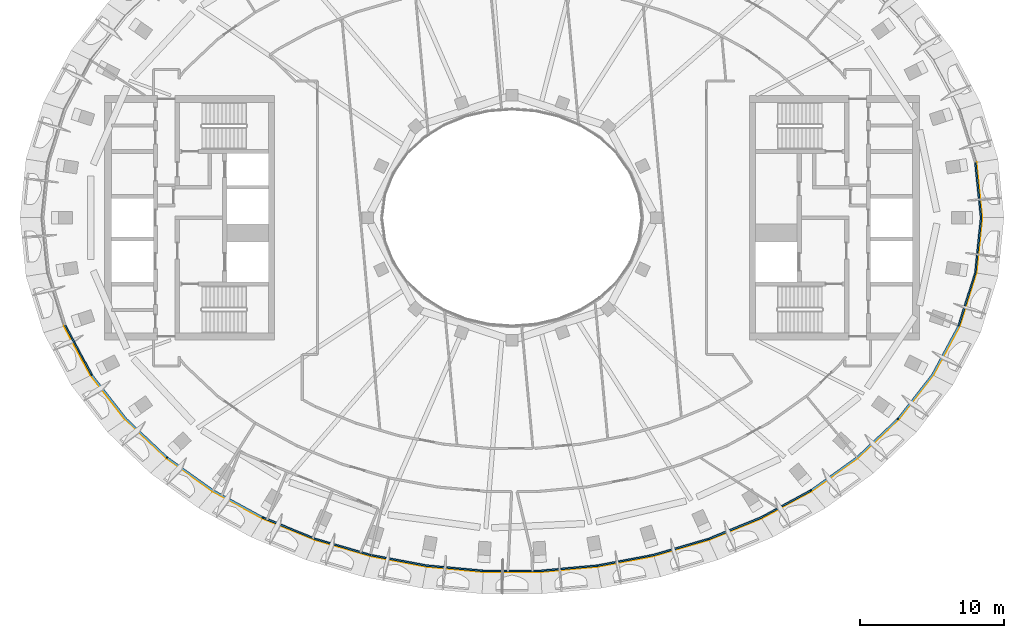
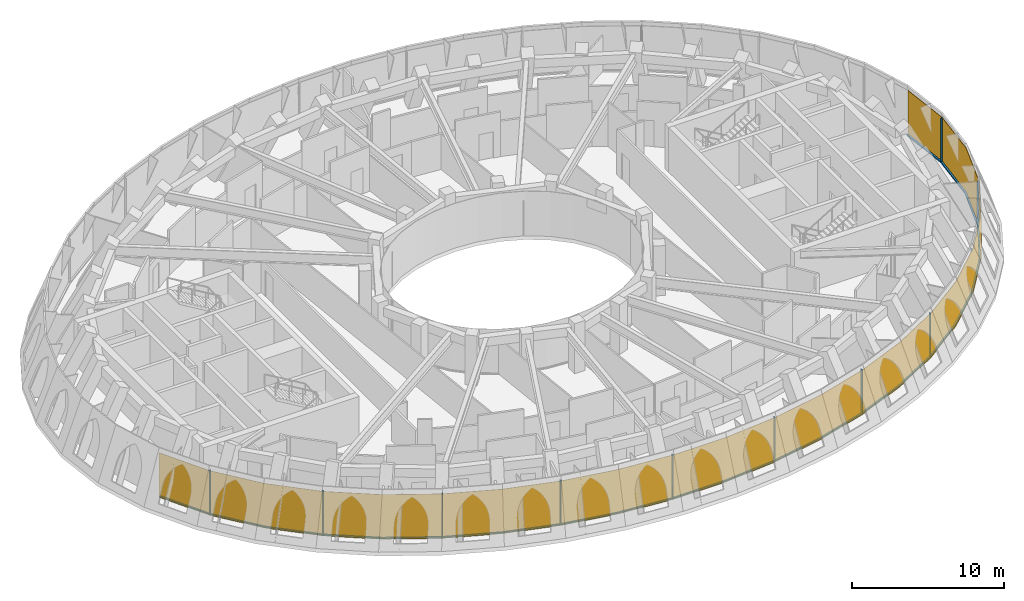
# One storey, part 8 of 14: 23 members, 1 curtain wall.
"""IFC4 building model written with IfcOpenShell, lengths in metres."""

import ifcopenshell
import ifcopenshell.guid

model = None  # the IFC model being written
_history = None  # IfcOwnerHistory: only IFC2X3 demands one
_inside = {}  # id of a spatial element -> (the spatial element, [elements in it])
_under = {}  # id of a project, library or spatial element -> (it, [spatial elements below it])
_declared = {}  # id of a project -> (the project, [libraries it declares])
_typed = {}  # id of a type object -> (the type object, [elements of that type])
_made_of = {}  # id of a material, layer set ... -> (it, [elements and type objects made of it])


def new_model(schema):
    """Start an empty IFC model of exactly this schema.

    Asked for "IFC4X3", IfcOpenShell would pick the latest addendum, in which some entities
    have other attributes; the version numbers below select the first issue.
    IFC2X3 requires an IfcOwnerHistory on every rooted entity: one is made here for all.
    """
    global model, _history
    if schema == "IFC4X3":
        model = ifcopenshell.file(schema_version=(4, 3, 0, 0))
    else:
        model = ifcopenshell.file(schema=schema)
    _inside.clear()
    _under.clear()
    _declared.clear()
    _typed.clear()
    _made_of.clear()
    _history = None
    if model.schema == "IFC2X3":
        org = make("IfcOrganization", Name="unknown")
        user = make(
            "IfcPersonAndOrganization",
            ThePerson=make("IfcPerson", FamilyName="unknown"),
            TheOrganization=org,
        )
        app = make(
            "IfcApplication",
            ApplicationDeveloper=org,
            Version="unknown",
            ApplicationFullName="unknown",
            ApplicationIdentifier="unknown",
        )
        _history = make(
            "IfcOwnerHistory",
            OwningUser=user,
            OwningApplication=app,
            ChangeAction="ADDED",
            CreationDate=0,
        )
    return model


def make(cls, **values):
    """One entity of the class cls with the attributes given. An attribute that is None is left unset."""
    return model.create_entity(
        cls, **{name: value for name, value in values.items() if value is not None}
    )


def rooted(cls, **values):
    """An entity with a GlobalId (a new one), such as an element, a storey or a relation."""
    return make(cls, GlobalId=ifcopenshell.guid.new(), OwnerHistory=_history, **values)


def si_unit(unit_type, name, prefix=None):
    """IfcSIUnit, for example si_unit("LENGTHUNIT", "METRE", prefix="MILLI")."""
    return make("IfcSIUnit", UnitType=unit_type, Prefix=prefix, Name=name)


def assignment(units):
    """IfcUnitAssignment: the units of a project."""
    return None if units is None else make("IfcUnitAssignment", Units=units)


def point(xyz):
    """IfcCartesianPoint."""
    return None if xyz is None else make("IfcCartesianPoint", Coordinates=xyz)


def direction(xyz):
    """IfcDirection."""
    return None if xyz is None else make("IfcDirection", DirectionRatios=xyz)


def frame(location, z_axis=None, x_axis=None):
    """IfcAxis2Placement3D, a coordinate frame: its origin and axes. An axis left out is left unset."""
    return make(
        "IfcAxis2Placement3D",
        Location=point(location),
        Axis=direction(z_axis),
        RefDirection=direction(x_axis),
    )


def frame_2d(location, x_axis=None):
    """IfcAxis2Placement2D, a coordinate frame in the plane: its origin and x axis."""
    return make(
        "IfcAxis2Placement2D", Location=point(location), RefDirection=direction(x_axis)
    )


def origin():
    """The frame at (0, 0, 0) with its axes left unset."""
    return frame((0.0, 0.0, 0.0))


def origin_2d():
    """The frame at (0, 0) in the plane with its x axis left unset."""
    return frame_2d((0.0, 0.0))


def place(relative_to, where):
    """IfcLocalPlacement: puts the frame where relative to a parent placement (None: the world)."""
    return make(
        "IfcLocalPlacement", PlacementRelTo=relative_to, RelativePlacement=where
    )


def context(
    kind, dimensions, precision=None, world=None, true_north=None, identifier=None
):
    """IfcGeometricRepresentationContext, for example the 3D "Model" context."""
    return make(
        "IfcGeometricRepresentationContext",
        ContextIdentifier=identifier,
        ContextType=kind,
        CoordinateSpaceDimension=dimensions,
        Precision=precision,
        WorldCoordinateSystem=world,
        TrueNorth=true_north,
    )


def subcontext(parent, identifier, kind, view, scale=None):
    """IfcGeometricRepresentationSubContext, for example "Body" below "Model"."""
    return make(
        "IfcGeometricRepresentationSubContext",
        ContextIdentifier=identifier,
        ContextType=kind,
        ParentContext=parent,
        TargetScale=scale,
        TargetView=view,
    )


def project(units=None, contexts=None):
    """IfcProject with its units and contexts."""
    return rooted(
        "IfcProject",
        Name="project",
        RepresentationContexts=contexts,
        UnitsInContext=assignment(units),
    )


def spatial(cls, under=None, at=None, **own):
    """A site, building, storey or space (cls), placed at a placement, below another one or the project."""
    s = rooted(cls, ObjectPlacement=at, **own)
    if under is not None:
        _under.setdefault(under.id(), (under, []))[1].append(s)
    return s


def polyline(points):
    """IfcPolyline through the points."""
    return make("IfcPolyline", Points=[point(p) for p in points])


def profile(cls, at=None, kind="AREA", **sizes):
    """A parametric profile (cls). Its sizes go by their IFC names, for example OverallWidth=200.0."""
    return make(cls, ProfileType=kind, Position=at, **sizes)


def rectangle(**sizes):
    """IfcRectangleProfileDef."""
    return profile("IfcRectangleProfileDef", **sizes)


def outline(outer, holes=None, kind="AREA"):
    """IfcArbitraryClosedProfileDef: a profile drawn as a closed curve; with holes, ...WithVoids."""
    if holes is None:
        return make("IfcArbitraryClosedProfileDef", ProfileType=kind, OuterCurve=outer)
    return make(
        "IfcArbitraryProfileDefWithVoids",
        ProfileType=kind,
        OuterCurve=outer,
        InnerCurves=holes,
    )


def extrude(swept, where, along, depth):
    """IfcExtrudedAreaSolid: the profile swept, set in the frame where, extruded along a direction by depth."""
    return make(
        "IfcExtrudedAreaSolid",
        SweptArea=swept,
        Position=where,
        ExtrudedDirection=direction(along),
        Depth=depth,
    )


def shape(context_of_items, identifier, shape_type, items):
    """IfcShapeRepresentation: the items that make up one representation, for example the "Body"."""
    return make(
        "IfcShapeRepresentation",
        ContextOfItems=context_of_items,
        RepresentationIdentifier=identifier,
        RepresentationType=shape_type,
        Items=items,
    )


def material(Name=None, Category=None):
    """IfcMaterial."""
    return make("IfcMaterial", Name=Name, Category=Category)


def layer(
    of_material, thickness, ventilated=None, Name=None, Category=None, Priority=None
):
    """IfcMaterialLayer: one layer of a wall or slab, of a material (None: an air gap)."""
    return make(
        "IfcMaterialLayer",
        Material=of_material,
        LayerThickness=thickness,
        IsVentilated=ventilated,
        Name=Name,
        Category=Category,
        Priority=Priority,
    )


def layer_set(layers, Name=None):
    """IfcMaterialLayerSet."""
    return make("IfcMaterialLayerSet", MaterialLayers=layers, LayerSetName=Name)


def material_profile(
    of_material, cross_section, Name=None, Category=None, Priority=None
):
    """IfcMaterialProfile: a cross section and its material."""
    return make(
        "IfcMaterialProfile",
        Name=Name,
        Material=of_material,
        Profile=cross_section,
        Priority=Priority,
        Category=Category,
    )


def profile_set(profiles, Name=None, composite=None):
    """IfcMaterialProfileSet."""
    return make(
        "IfcMaterialProfileSet",
        Name=Name,
        MaterialProfiles=profiles,
        CompositeProfile=composite,
    )


def made_of(thing, what):
    """Note that an element or type object is made of a material, layer set ...; save() writes the relation."""
    if what is not None:
        _made_of.setdefault(what.id(), (what, []))[1].append(thing)
    return thing


def type_object(cls, material=None, **own):
    """A type object (cls), such as IfcWallType, which elements share."""
    return made_of(rooted(cls, **own), material)


def element(
    cls,
    number,
    at=None,
    inside=None,
    cuts=None,
    type_object=None,
    material=None,
    context=None,
    identifier="Body",
    shape_type=None,
    held_by="IfcProductDefinitionShape",
    body=None,
    shapes=None,
    **own,
):
    """One element of the class cls, such as IfcWall. Its Tag is "e" and its number.

    at: its placement. inside: the storey or other place that contains it. cuts: it is an
    opening in that element (IfcRelVoidsElement). A single representation is given by context,
    identifier, shape_type and body (its items); several are given by shapes. held_by: the class
    of the entity that holds the representations. save() writes the other relations.
    """
    e = rooted(cls, Tag="e%d" % number, ObjectPlacement=at, **own)
    if body is not None:
        shapes = [shape(context, identifier, shape_type, body)]
    if shapes is not None:
        e.Representation = make(held_by, Representations=shapes)
    if inside is not None:
        _inside.setdefault(inside.id(), (inside, []))[1].append(e)
    if cuts is not None:
        rooted(
            "IfcRelVoidsElement", RelatingBuildingElement=cuts, RelatedOpeningElement=e
        )
    if type_object is not None:
        _typed.setdefault(type_object.id(), (type_object, []))[1].append(e)
    return made_of(e, material)


def aggregate(whole, parts):
    """IfcRelAggregates: a whole, such as a stair, and the parts it consists of."""
    return rooted("IfcRelAggregates", RelatingObject=whole, RelatedObjects=parts)


def save(model, path):
    """Write the relations noted so far, then the file.

    IfcRelAggregates (storeys below a building ...), IfcRelContainedInSpatialStructure (elements
    in a storey), IfcRelDefinesByType, IfcRelAssociatesMaterial and IfcRelDeclares: one each for
    every whole, place, type object, material and project.
    """
    for whole, parts in _under.values():
        aggregate(whole, parts)
    for where, things in _inside.values():
        rooted(
            "IfcRelContainedInSpatialStructure",
            RelatedElements=things,
            RelatingStructure=where,
        )
    for kind, things in _typed.values():
        rooted("IfcRelDefinesByType", RelatedObjects=things, RelatingType=kind)
    for what, things in _made_of.values():
        rooted("IfcRelAssociatesMaterial", RelatedObjects=things, RelatingMaterial=what)
    for by, libraries in _declared.values():
        rooted("IfcRelDeclares", RelatingContext=by, RelatedDefinitions=libraries)
    model.write(path)


model = new_model("IFC4")

# Units and contexts
model_context = context("Model", 3, precision=1e-05, world=origin(), true_north=direction((0.0, 1.0)))
body_context = subcontext(model_context, "Body", "Model", "MODEL_VIEW")
ifc_project = project(units=[si_unit("LENGTHUNIT", "METRE"), si_unit("AREAUNIT", "SQUARE_METRE"), si_unit("VOLUMEUNIT", "CUBIC_METRE"), si_unit("PLANEANGLEUNIT", "RADIAN"), si_unit("MASSUNIT", "GRAM", prefix="KILO")], contexts=[model_context])

# Member
ifc_material_1 = material(Name="Aluminium 6063-T6 black anodised", Category="aluminium")
ifc_material_profile = material_profile(ifc_material_1, rectangle(XDim=0.1201171875, YDim=0.06005859375, at=origin_2d()), Name="120x60")
ifc_profile_set = profile_set([ifc_material_profile], Name="Aluminium 6063-T6 black anodised")
member_type_1 = type_object("IfcMemberType", Name="ENV-MULLION-H-120", PredefinedType="MULLION", material=ifc_profile_set)
site_placement = place(None, origin())
building_placement = place(site_placement, origin())
storey_placement = place(building_placement, frame((0.0, 0.0, 343.0)))
member_1_placement = place(storey_placement, frame((-29.18603515625, -10.9013671875, 0.0), z_axis=(0.0, 0.0, 1.0), x_axis=(0.83764393607, 0.546216656983, 0.0)))
member_1 = element("IfcMember", 1, at=member_1_placement, type_object=member_type_1, Name="Mullion H radial 27", PredefinedType="MULLION", context=body_context, shape_type="SweptSolid", body=[
    extrude(rectangle(XDim=0.1201171875, YDim=0.06005859375, at=origin_2d()), origin(), (0.0, 0.0, 1.0), 3.580078125),
])

member_2_placement = place(storey_placement, frame((-23.949951171875, -16.648193359375, 0.0), z_axis=(0.0, 0.0, 1.0), x_axis=(0.635358433508, 0.772217366401, 0.0)))
member_2 = element("IfcMember", 2, at=member_2_placement, type_object=member_type_1, Name="Mullion H radial 29", PredefinedType="MULLION", context=body_context, shape_type="SweptSolid", body=[
    extrude(rectangle(XDim=0.1201171875, YDim=0.06005859375, at=origin_2d()), origin(), (0.0, 0.0, 1.0), 3.580078125),
])

member_3_placement = place(storey_placement, frame((-17.29638671875, -20.81689453125, 0.0), z_axis=(0.0, 0.0, 1.0), x_axis=(0.42885978968, 0.903371064843, 0.0)))
member_3 = element("IfcMember", 3, at=member_3_placement, type_object=member_type_1, Name="Mullion H radial 31", PredefinedType="MULLION", context=body_context, shape_type="SweptSolid", body=[
    extrude(rectangle(XDim=0.1201171875, YDim=0.06005859375, at=origin_2d()), origin(), (0.0, 0.0, 1.0), 3.580078125),
])

member_4_placement = place(storey_placement, frame((-9.8359375, -23.421142578125, 0.0), z_axis=(0.0, 0.0, 1.0), x_axis=(0.23321217369, 0.972425874832, 0.0)))
member_4 = element("IfcMember", 4, at=member_4_placement, type_object=member_type_1, Name="Mullion H radial 33", PredefinedType="MULLION", context=body_context, shape_type="SweptSolid", body=[
    extrude(rectangle(XDim=0.1201171875, YDim=0.06005859375, at=origin_2d()), origin(), (0.0, 0.0, 1.0), 3.580078125),
])

member_5_placement = place(storey_placement, frame((-1.985595703125, -24.52294921875, 0.0), z_axis=(0.0, 0.0, 1.0), x_axis=(0.046177574871, 0.998933246808, 0.0)))
member_5 = element("IfcMember", 5, at=member_5_placement, type_object=member_type_1, Name="Mullion H radial 35", PredefinedType="MULLION", context=body_context, shape_type="SweptSolid", body=[
    extrude(rectangle(XDim=0.1201171875, YDim=0.06005859375, at=origin_2d()), origin(), (0.0, 0.0, 1.0), 3.580078125),
])

member_6_placement = place(storey_placement, frame((5.9384765625, -24.15673828125, 0.0), z_axis=(0.0, 0.0, 1.0), x_axis=(-0.139002505328, 0.99029202941, 0.0)))
member_6 = element("IfcMember", 6, at=member_6_placement, type_object=member_type_1, Name="Mullion H radial 37", PredefinedType="MULLION", context=body_context, shape_type="SweptSolid", body=[
    extrude(rectangle(XDim=0.1201171875, YDim=0.06005859375, at=origin_2d()), origin(), (0.0, 0.0, 1.0), 3.580078125),
])

member_7_placement = place(storey_placement, frame((13.637451171875, -22.310546875, 0.0), z_axis=(0.0, 0.0, 1.0), x_axis=(-0.329629873064, 0.9441102408, 0.0)))
member_7 = element("IfcMember", 7, at=member_7_placement, type_object=member_type_1, Name="Mullion H radial 39", PredefinedType="MULLION", context=body_context, shape_type="SweptSolid", body=[
    extrude(rectangle(XDim=0.1201171875, YDim=0.06005859375, at=origin_2d()), origin(), (0.0, 0.0, 1.0), 3.580078125),
])

member_8_placement = place(storey_placement, frame((20.75634765625, -18.931640625, 0.0), z_axis=(0.0, 0.0, 1.0), x_axis=(-0.531036252239, 0.847349100907, 0.0)))
member_8 = element("IfcMember", 8, at=member_8_placement, type_object=member_type_1, Name="Mullion H radial 41", PredefinedType="MULLION", context=body_context, shape_type="SweptSolid", body=[
    extrude(rectangle(XDim=0.1201171875, YDim=0.06005859375, at=origin_2d()), origin(), (0.0, 0.0, 1.0), 3.580078125),
])

member_9_placement = place(storey_placement, frame((26.793212890625, -13.966552734375, 0.0), z_axis=(0.0, 0.0, 1.0), x_axis=(-0.73931620494, 0.67335841059, 0.0)))
member_9 = element("IfcMember", 9, at=member_9_placement, type_object=member_type_1, Name="Mullion H radial 43", PredefinedType="MULLION", context=body_context, shape_type="SweptSolid", body=[
    extrude(rectangle(XDim=0.1201171875, YDim=0.06005859375, at=origin_2d()), origin(), (0.0, 0.0, 1.0), 3.580078125),
])

member_10_placement = place(storey_placement, frame((31.016357421875, -7.493408203125, 0.0), z_axis=(0.0, 0.0, 1.0), x_axis=(-0.921508192608, 0.388358920274, 0.0)))
member_10 = element("IfcMember", 10, at=member_10_placement, type_object=member_type_1, Name="Mullion H radial 45", PredefinedType="MULLION", context=body_context, shape_type="SweptSolid", body=[
    extrude(rectangle(XDim=0.1201171875, YDim=0.06005859375, at=origin_2d()), origin(), (0.0, 0.0, 1.0), 3.580078125),
])

member_11_placement = place(storey_placement, frame((32.568603515625, 0.0, 0.0), z_axis=(0.0, 0.0, 1.0), x_axis=(-1.0, 0.0, 0.0)))
member_11 = element("IfcMember", 11, at=member_11_placement, type_object=member_type_1, Name="Mullion H radial 01", PredefinedType="MULLION", context=body_context, shape_type="SweptSolid", body=[
    extrude(rectangle(XDim=0.1201171875, YDim=0.06005859375, at=origin_2d()), origin(), (0.0, 0.0, 1.0), 3.580078125),
])

ifc_material_2 = material(Name="Aluminium 6063-T6 black anodised", Category="aluminium")
member_type_2 = type_object("IfcMemberType", Name="ENV-TRANSOM-H", PredefinedType="USERDEFINED", material=ifc_material_2)
member_12_placement = place(storey_placement, origin())
member_12 = element("IfcMember", 12, at=member_12_placement, type_object=member_type_2, Name="Transom H radial 26-27", ObjectType="TRANSOM", PredefinedType="USERDEFINED", context=body_context, shape_type="SweptSolid", body=[
    extrude(outline(polyline([(-31.071533203125, -7.516845703125), (-29.24951171875, -10.909423828125), (-29.148681640625, -10.84375), (-30.96044921875, -7.469970703125), (-31.071533203125, -7.516845703125)])), origin(), (0.0, 0.0, 1.0), 0.10009765625),
])

member_13_placement = place(storey_placement, origin())
member_13 = element("IfcMember", 13, at=member_13_placement, type_object=member_type_2, Name="Transom H radial 27-29", ObjectType="TRANSOM", PredefinedType="USERDEFINED", context=body_context, shape_type="SweptSolid", body=[
    extrude(outline(polyline([(-29.218994140625, -10.956298828125), (-26.83740234375, -14.0068359375), (-24.00830078125, -16.67529296875), (-23.931884765625, -16.58251953125), (-26.74853515625, -13.92578125), (-29.1181640625, -10.890380859375), (-29.218994140625, -10.956298828125)])), origin(), (0.0, 0.0, 1.0), 0.10009765625),
])

member_14_placement = place(storey_placement, origin())
member_14 = element("IfcMember", 14, at=member_14_placement, type_object=member_type_2, Name="Transom H radial 29-31", ObjectType="TRANSOM", PredefinedType="USERDEFINED", context=body_context, shape_type="SweptSolid", body=[
    extrude(outline(polyline([(-23.965087890625, -16.710693359375), (-20.788330078125, -18.982421875), (-17.3466796875, -20.857666015625), (-17.294921875, -20.7490234375), (-20.724365234375, -18.880615234375), (-23.888916015625, -16.617919921875), (-23.965087890625, -16.710693359375)])), origin(), (0.0, 0.0, 1.0), 0.10009765625),
])

member_15_placement = place(storey_placement, origin())
member_15 = element("IfcMember", 15, at=member_15_placement, type_object=member_type_2, Name="Transom H radial 31-33", ObjectType="TRANSOM", PredefinedType="USERDEFINED", context=body_context, shape_type="SweptSolid", body=[
    extrude(outline(polyline([(-17.296142578125, -20.881591796875), (-13.6572265625, -22.3671875), (-9.876708984375, -23.4716796875), (-9.848876953125, -23.354736328125), (-13.61767578125, -22.253662109375), (-17.244384765625, -20.773193359375), (-17.296142578125, -20.881591796875)])), origin(), (0.0, 0.0, 1.0), 0.10009765625),
])

member_16_placement = place(storey_placement, origin())
member_16 = element("IfcMember", 16, at=member_16_placement, type_object=member_type_2, Name="Transom H radial 33-35", ObjectType="TRANSOM", PredefinedType="USERDEFINED", context=body_context, shape_type="SweptSolid", body=[
    extrude(outline(polyline([(-9.822509765625, -23.484619140625), (-5.94677734375, -24.216064453125), (-2.01611328125, -24.580078125), (-2.010498046875, -24.460205078125), (-5.929931640625, -24.09716796875), (-9.79443359375, -23.367919921875), (-9.822509765625, -23.484619140625)])), origin(), (0.0, 0.0, 1.0), 0.10009765625),
])

member_17_placement = place(storey_placement, origin())
member_17 = element("IfcMember", 17, at=member_17_placement, type_object=member_type_2, Name="Transom H radial 35-37", ObjectType="TRANSOM", PredefinedType="USERDEFINED", context=body_context, shape_type="SweptSolid", body=[
    extrude(outline(polyline([(-1.960205078125, -24.582763671875), (1.98828125, -24.582763671875), (5.9189453125, -24.218505859375), (5.902099609375, -24.099609375), (1.982666015625, -24.462890625), (-1.95458984375, -24.462890625), (-1.960205078125, -24.582763671875)])), origin(), (0.0, 0.0, 1.0), 0.10009765625),
])

member_18_placement = place(storey_placement, origin())
member_18 = element("IfcMember", 18, at=member_18_placement, type_object=member_type_2, Name="Transom H radial 37-39", ObjectType="TRANSOM", PredefinedType="USERDEFINED", context=body_context, shape_type="SweptSolid", body=[
    extrude(outline(polyline([(5.97412109375, -24.210693359375), (9.85009765625, -23.4794921875), (13.63037109375, -22.375), (13.5908203125, -22.261474609375), (9.822021484375, -23.362548828125), (5.95751953125, -24.091796875), (5.97412109375, -24.210693359375)])), origin(), (0.0, 0.0, 1.0), 0.10009765625),
])

member_19_placement = place(storey_placement, origin())
member_19 = element("IfcMember", 19, at=member_19_placement, type_object=member_type_2, Name="Transom H radial 39-41", ObjectType="TRANSOM", PredefinedType="USERDEFINED", context=body_context, shape_type="SweptSolid", body=[
    extrude(outline(polyline([(13.68310546875, -22.356689453125), (17.322021484375, -20.87109375), (20.763671875, -18.995849609375), (20.69970703125, -18.89404296875), (17.2705078125, -20.762451171875), (13.6435546875, -22.2431640625), (13.68310546875, -22.356689453125)])), origin(), (0.0, 0.0, 1.0), 0.10009765625),
])

member_20_placement = place(storey_placement, origin())
member_20 = element("IfcMember", 20, at=member_20_placement, type_object=member_type_2, Name="Transom H radial 41-43", ObjectType="TRANSOM", PredefinedType="USERDEFINED", context=body_context, shape_type="SweptSolid", body=[
    extrude(outline(polyline([(20.81103515625, -18.96630859375), (23.988037109375, -16.694580078125), (26.817138671875, -14.026123046875), (26.72802734375, -13.945068359375), (23.91162109375, -16.6015625), (20.747314453125, -18.8642578125), (20.81103515625, -18.96630859375)])), origin(), (0.0, 0.0, 1.0), 0.10009765625),
])

member_21_placement = place(storey_placement, origin())
member_21 = element("IfcMember", 21, at=member_21_placement, type_object=member_type_2, Name="Transom H radial 43-45", ObjectType="TRANSOM", PredefinedType="USERDEFINED", context=body_context, shape_type="SweptSolid", body=[
    extrude(outline(polyline([(26.854736328125, -13.98486328125), (29.236328125, -10.93408203125), (31.05810546875, -7.54150390625), (30.947265625, -7.49462890625), (29.135498046875, -10.868408203125), (26.765625, -13.90380859375), (26.854736328125, -13.98486328125)])), origin(), (0.0, 0.0, 1.0), 0.10009765625),
])

member_22_placement = place(storey_placement, origin())
member_22 = element("IfcMember", 22, at=member_22_placement, type_object=member_type_2, Name="Transom H radial 45-01", ObjectType="TRANSOM", PredefinedType="USERDEFINED", context=body_context, shape_type="SweptSolid", body=[
    extrude(outline(polyline([(31.079833984375, -7.489990234375), (32.23095703125, -3.832275390625), (32.62548828125, -0.02783203125), (32.5048828125, -0.02783203125), (32.11279296875, -3.807861328125), (30.96875, -7.443115234375), (31.079833984375, -7.489990234375)])), origin(), (0.0, 0.0, 1.0), 0.10009765625),
])

member_23_placement = place(storey_placement, origin())
member_23 = element("IfcMember", 23, at=member_23_placement, type_object=member_type_2, Name="Transom H radial 01-02", ObjectType="TRANSOM", PredefinedType="USERDEFINED", context=body_context, shape_type="SweptSolid", body=[
    extrude(outline(polyline([(32.62548828125, 0.02783203125), (32.23095703125, 3.832275390625), (32.11279296875, 3.807861328125), (32.5048828125, 0.02783203125), (32.62548828125, 0.02783203125)])), origin(), (0.0, 0.0, 1.0), 0.10009765625),
])

# Site, building, storey
site = spatial("IfcSite", under=ifc_project, at=site_placement, CompositionType="ELEMENT")
building = spatial("IfcBuilding", under=site, at=building_placement, Name="Noorbagh Ring Tower", CompositionType="ELEMENT")
storey = spatial("IfcBuildingStorey", under=building, at=storey_placement, Name="L75", CompositionType="ELEMENT", Elevation=343.0)

# Curtain wall
ifc_material_3 = material(Name="Glass dark tinted laminated", Category="glass")
ifc_layer = layer(ifc_material_3, 0.031982421875)
ifc_layer_set = layer_set([ifc_layer], Name="Glass dark tinted laminated")
curtain_wall_type = type_object("IfcCurtainWallType", Name="ENV-CW-H", PredefinedType="NOTDEFINED", material=ifc_layer_set)
curtain_wall_placement = place(storey_placement, origin())
curtain_wall = element("IfcCurtainWall", 24, at=curtain_wall_placement, inside=storey, type_object=curtain_wall_type, Name="Curtain wall H R26", PredefinedType="NOTDEFINED", context=body_context, shape_type="SweptSolid", body=[
    extrude(outline(polyline([(-31.10107421875, -7.529296875), (-29.26318359375, -10.95166015625), (-26.861083984375, -14.028564453125), (-24.00830078125, -16.71923828125), (-20.805419921875, -19.009765625), (-17.335693359375, -20.89990234375), (-13.667724609375, -22.3974609375), (-9.857421875, -23.510498046875), (-5.951171875, -24.247802734375), (-1.98974609375, -24.61474609375), (1.98974609375, -24.61474609375), (5.951171875, -24.247802734375), (9.857421875, -23.510498046875), (13.667724609375, -22.3974609375), (17.335693359375, -20.89990234375), (20.805419921875, -19.009765625), (24.00830078125, -16.71923828125), (26.861083984375, -14.028564453125), (29.26318359375, -10.95166015625), (31.10107421875, -7.529296875), (32.262451171875, -3.8388671875), (32.66064453125, 0.0), (32.262451171875, 3.8388671875), (32.23095703125, 3.832275390625), (32.62841796875, 0.0), (32.23095703125, -3.832275390625), (31.071533203125, -7.516845703125), (29.236328125, -10.93408203125), (26.83740234375, -14.0068359375), (23.988037109375, -16.694580078125), (20.788330078125, -18.982421875), (17.322021484375, -20.87109375), (13.6572265625, -22.3671875), (9.85009765625, -23.4794921875), (5.94677734375, -24.216064453125), (1.98828125, -24.582763671875), (-1.98828125, -24.582763671875), (-5.94677734375, -24.216064453125), (-9.85009765625, -23.4794921875), (-13.6572265625, -22.3671875), (-17.322021484375, -20.87109375), (-20.788330078125, -18.982421875), (-23.988037109375, -16.694580078125), (-26.83740234375, -14.0068359375), (-29.236328125, -10.93408203125), (-31.071533203125, -7.516845703125), (-31.10107421875, -7.529296875)])), origin(), (0.0, 0.0, 1.0), 3.580078125),
])

aggregate(curtain_wall, [member_1, member_2, member_3, member_4, member_5, member_6, member_7, member_8, member_9, member_10, member_11, member_12, member_13, member_14, member_15, member_16, member_17, member_18, member_19, member_20, member_21, member_22, member_23])

save(model, "model.ifc")
